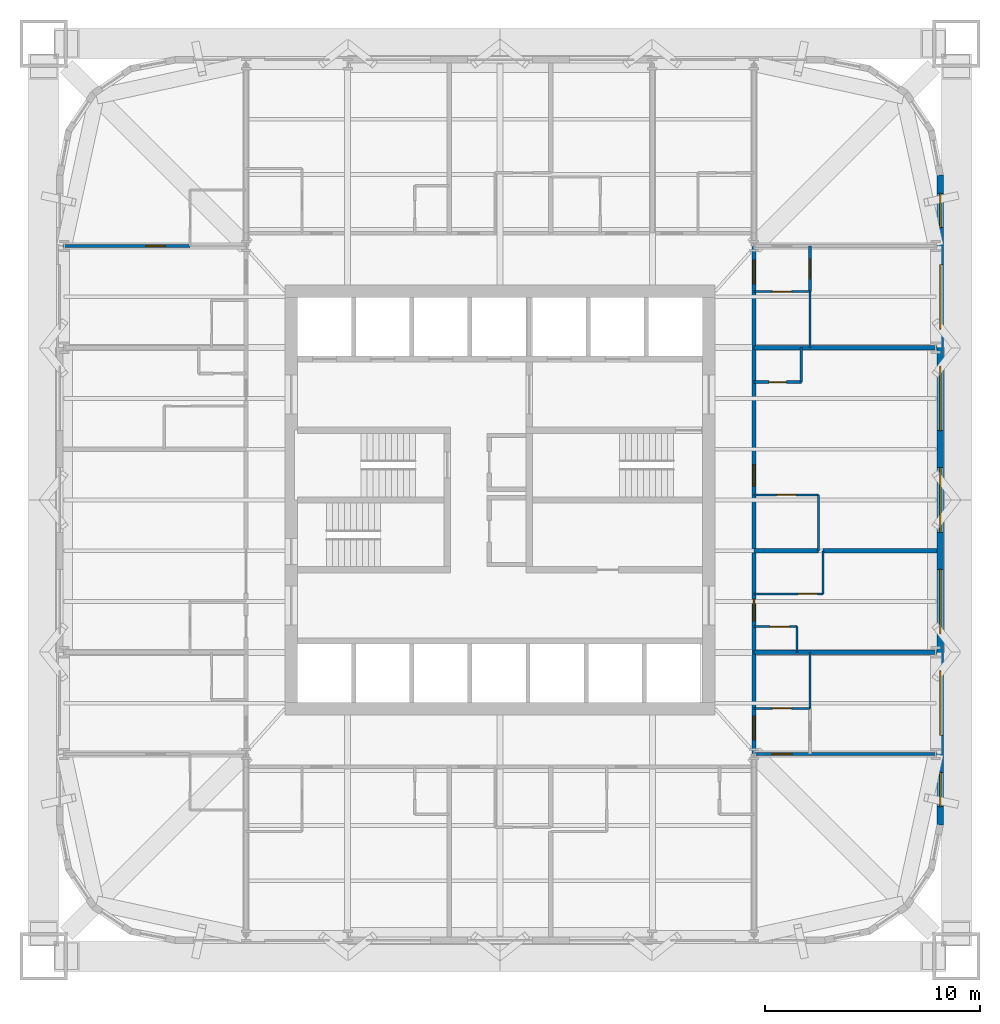
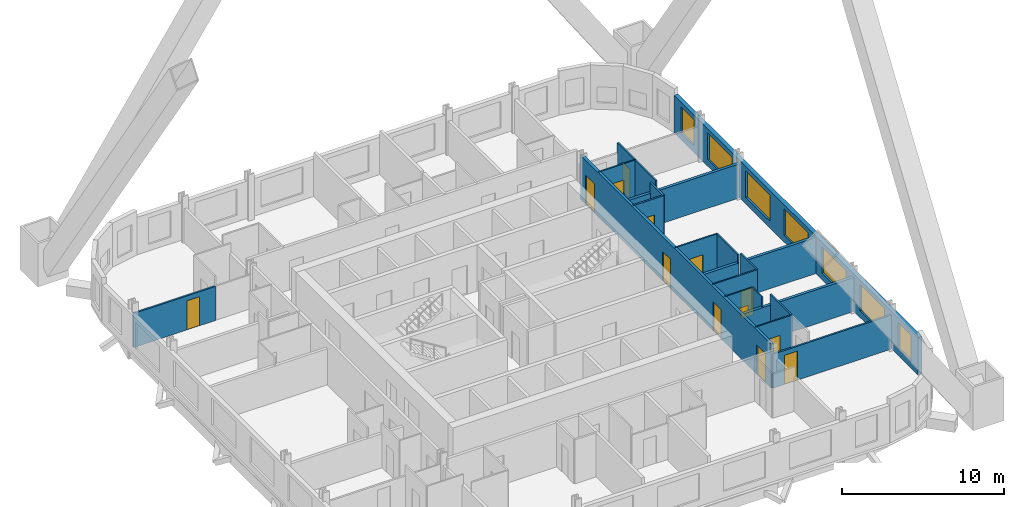
# One storey, part 6 of 9: 21 walls, 13 doors, 7 windows, 20 openings.
"""IFC4 building model written with IfcOpenShell, lengths in metres."""

from ifc_helpers import new_model, si_unit, direction, frame, frame_2d, origin, place, context, subcontext, project, spatial, rectangle, extrude, material, layer, layer_set, type_object, element, fill, save


model = new_model("IFC4")

# Units and contexts
model_context = context("Model", 3, precision=1e-05, world=origin(), true_north=direction((0.0, 1.0)))
body_context = subcontext(model_context, "Body", "Model", "MODEL_VIEW")
ifc_project = project(units=[si_unit("LENGTHUNIT", "METRE"), si_unit("AREAUNIT", "SQUARE_METRE"), si_unit("VOLUMEUNIT", "CUBIC_METRE"), si_unit("PLANEANGLEUNIT", "RADIAN"), si_unit("MASSUNIT", "GRAM", prefix="KILO")], contexts=[model_context])

# Site, building, storey
site_placement = place(None, origin())
site = spatial("IfcSite", under=ifc_project, at=site_placement, CompositionType="ELEMENT")
building_placement = place(site_placement, origin())
building = spatial("IfcBuilding", under=site, at=building_placement, Name="Turquesa Mirador Hotel Tower", CompositionType="ELEMENT")
storey_placement = place(building_placement, frame((0.0, 0.0, 93.39990234375)))
storey = spatial("IfcBuildingStorey", under=building, at=storey_placement, Name="L24", CompositionType="ELEMENT", Elevation=93.39990234375)

# Wall, opening, door
ifc_material_1 = material(Name="Gypsum board on steel studs", Category="steel")
ifc_layer_1 = layer(ifc_material_1, 0.10009765625)
ifc_layer_set_1 = layer_set([ifc_layer_1], Name="BATHROOM WALL 100")
wall_type_1 = type_object("IfcWallType", Name="BATHROOM WALL 100", PredefinedType="PARTITIONING", material=ifc_layer_set_1)
wall_1_placement = place(storey_placement, frame((66.800048828125, 40.639892578125, 0.0), z_axis=(0.0, 0.0, 1.0), x_axis=(1.0, 0.0, 0.0)))
wall_1 = element("IfcWall", 1, at=wall_1_placement, inside=storey, type_object=wall_type_1, Name="Partition L24 013", PredefinedType="PARTITIONING", context=body_context, shape_type="SweptSolid", body=[
    extrude(rectangle(XDim=3.199951171875, YDim=0.10009765625, at=frame_2d((1.60009765625, 0.0))), origin(), (0.0, 0.0, 1.0), 3.330078125),
])
opening_1_placement = place(wall_1_placement, frame((2.050048828125, 0.0, 0.0)))
opening_1 = element("IfcOpeningElement", 2, at=opening_1_placement, cuts=wall_1, Name="Opening D02", PredefinedType="OPENING", context=body_context, shape_type="SweptSolid", body=[
    extrude(rectangle(XDim=0.89990234375, YDim=2.10009765625, at=frame_2d((0.449951171875, 1.050048828125))), frame((0.0, 0.06005859375, 0.0), z_axis=(0.0, -1.0, 0.0), x_axis=(1.0, 0.0, 0.0)), (0.0, 0.0, 1.0), 0.1201171875),
])
ifc_material_2 = material(Name="Timber veneered door", Category="wood")
door_type_1 = type_object("IfcDoorType", Name="DOOR 900X2100 EN-SUITE", OperationType="SINGLE_SWING_RIGHT", PredefinedType="DOOR", material=ifc_material_2)
door_1_placement = place(opening_1_placement, origin())
door_1 = element("IfcDoor", 3, at=door_1_placement, inside=storey, type_object=door_type_1, Name="Door 2408B", OperationType="SINGLE_SWING_RIGHT", OverallHeight=2.10009765625, OverallWidth=0.89990234375, PredefinedType="DOOR", context=body_context, shape_type="SweptSolid", body=[
    extrude(rectangle(XDim=0.89990234375, YDim=2.10009765625, at=frame_2d((0.449951171875, 1.050048828125))), frame((0.0, 0.02490234375, 0.0), z_axis=(0.0, -1.0, 0.0), x_axis=(1.0, 0.0, 0.0)), (0.0, 0.0, 1.0), 0.050048828125),
])
fill(opening_1, door_1)

wall_2_placement = place(storey_placement, frame((66.800048828125, 39.1201171875, 0.0), z_axis=(0.0, 0.0, 1.0), x_axis=(1.0, 0.0, 0.0)))
wall_2 = element("IfcWall", 4, at=wall_2_placement, inside=storey, type_object=wall_type_1, Name="Partition L24 015", PredefinedType="PARTITIONING", context=body_context, shape_type="SweptSolid", body=[
    extrude(rectangle(XDim=2.0, YDim=0.10009765625, at=frame_2d((1.0, 0.0))), origin(), (0.0, 0.0, 1.0), 3.330078125),
])
opening_2_placement = place(wall_2_placement, frame((0.75, 0.0, 0.0)))
opening_2 = element("IfcOpeningElement", 5, at=opening_2_placement, cuts=wall_2, Name="Opening D06", PredefinedType="OPENING", context=body_context, shape_type="SweptSolid", body=[
    extrude(rectangle(XDim=0.89990234375, YDim=2.10009765625, at=frame_2d((0.449951171875, 1.050048828125))), frame((0.0, 0.06005859375, 0.0), z_axis=(0.0, -1.0, 0.0), x_axis=(1.0, 0.0, 0.0)), (0.0, 0.0, 1.0), 0.1201171875),
])
ifc_material_3 = material(Name="Laminate door", Category="wood")
door_type_2 = type_object("IfcDoorType", Name="DOOR 900X2100 WC", OperationType="SINGLE_SWING_LEFT", PredefinedType="DOOR", material=ifc_material_3)
door_2_placement = place(opening_2_placement, origin())
door_2 = element("IfcDoor", 6, at=door_2_placement, inside=storey, type_object=door_type_2, Name="Door 2408W", OperationType="SINGLE_SWING_LEFT", OverallHeight=2.10009765625, OverallWidth=0.89990234375, PredefinedType="DOOR", context=body_context, shape_type="SweptSolid", body=[
    extrude(rectangle(XDim=0.89990234375, YDim=2.10009765625, at=frame_2d((0.449951171875, 1.050048828125))), frame((0.0, 0.02490234375, 0.0), z_axis=(0.0, -1.0, 0.0), x_axis=(1.0, 0.0, 0.0)), (0.0, 0.0, 1.0), 0.050048828125),
])
fill(opening_2, door_2)

wall_3_placement = place(storey_placement, frame((66.800048828125, 35.320068359375, 0.0), z_axis=(0.0, 0.0, 1.0), x_axis=(1.0, 0.0, 0.0)))
wall_3 = element("IfcWall", 7, at=wall_3_placement, inside=storey, type_object=wall_type_1, Name="Partition L24 019", PredefinedType="PARTITIONING", context=body_context, shape_type="SweptSolid", body=[
    extrude(rectangle(XDim=2.599853515625, YDim=0.10009765625, at=frame_2d((1.2998046875, 0.0))), origin(), (0.0, 0.0, 1.0), 3.330078125),
])
opening_3_placement = place(wall_3_placement, frame((0.85009765625, 0.0, 0.0)))
opening_3 = element("IfcOpeningElement", 8, at=opening_3_placement, cuts=wall_3, Name="Opening D02", PredefinedType="OPENING", context=body_context, shape_type="SweptSolid", body=[
    extrude(rectangle(XDim=0.89990234375, YDim=2.10009765625, at=frame_2d((0.449951171875, 1.050048828125))), frame((0.0, 0.06005859375, 0.0), z_axis=(0.0, -1.0, 0.0), x_axis=(1.0, 0.0, 0.0)), (0.0, 0.0, 1.0), 0.1201171875),
])
door_3_placement = place(opening_3_placement, origin())
door_3 = element("IfcDoor", 9, at=door_3_placement, inside=storey, type_object=door_type_1, Name="Door 2414B", OperationType="SINGLE_SWING_RIGHT", OverallHeight=2.10009765625, OverallWidth=0.89990234375, PredefinedType="DOOR", context=body_context, shape_type="SweptSolid", body=[
    extrude(rectangle(XDim=0.89990234375, YDim=2.10009765625, at=frame_2d((0.449951171875, 1.050048828125))), frame((0.0, 0.02490234375, 0.0), z_axis=(0.0, -1.0, 0.0), x_axis=(1.0, 0.0, 0.0)), (0.0, 0.0, 1.0), 0.050048828125),
])
fill(opening_3, door_3)

wall_4_placement = place(storey_placement, frame((66.800048828125, 45.239990234375, 0.0), z_axis=(0.0, 0.0, 1.0), x_axis=(1.0, 0.0, 0.0)))
wall_4 = element("IfcWall", 10, at=wall_4_placement, inside=storey, type_object=wall_type_1, Name="Partition L24 020", PredefinedType="PARTITIONING", context=body_context, shape_type="SweptSolid", body=[
    extrude(rectangle(XDim=3.0, YDim=0.10009765625, at=frame_2d((1.5, 0.0))), origin(), (0.0, 0.0, 1.0), 3.330078125),
])
opening_4_placement = place(wall_4_placement, frame((1.050048828125, 0.0, 0.0)))
opening_4 = element("IfcOpeningElement", 11, at=opening_4_placement, cuts=wall_4, Name="Opening D02", PredefinedType="OPENING", context=body_context, shape_type="SweptSolid", body=[
    extrude(rectangle(XDim=0.89990234375, YDim=2.10009765625, at=frame_2d((0.449951171875, 1.050048828125))), frame((0.0, 0.06005859375, 0.0), z_axis=(0.0, -1.0, 0.0), x_axis=(1.0, 0.0, 0.0)), (0.0, 0.0, 1.0), 0.1201171875),
])
door_4_placement = place(opening_4_placement, origin())
door_4 = element("IfcDoor", 12, at=door_4_placement, inside=storey, type_object=door_type_1, Name="Door 2409B", OperationType="SINGLE_SWING_RIGHT", OverallHeight=2.10009765625, OverallWidth=0.89990234375, PredefinedType="DOOR", context=body_context, shape_type="SweptSolid", body=[
    extrude(rectangle(XDim=0.89990234375, YDim=2.10009765625, at=frame_2d((0.449951171875, 1.050048828125))), frame((0.0, 0.02490234375, 0.0), z_axis=(0.0, -1.0, 0.0), x_axis=(1.0, 0.0, 0.0)), (0.0, 0.0, 1.0), 0.050048828125),
])
fill(opening_4, door_4)

wall_5_placement = place(storey_placement, frame((66.800048828125, 54.679931640625, 0.0), z_axis=(0.0, 0.0, 1.0), x_axis=(1.0, 0.0, 0.0)))
wall_5 = element("IfcWall", 13, at=wall_5_placement, inside=storey, type_object=wall_type_1, Name="Partition L24 038", PredefinedType="PARTITIONING", context=body_context, shape_type="SweptSolid", body=[
    extrude(rectangle(XDim=2.599853515625, YDim=0.10009765625, at=frame_2d((1.2998046875, 0.0))), origin(), (0.0, 0.0, 1.0), 3.330078125),
])
opening_5_placement = place(wall_5_placement, frame((0.85009765625, 0.0, 0.0)))
opening_5 = element("IfcOpeningElement", 14, at=opening_5_placement, cuts=wall_5, Name="Opening D02", PredefinedType="OPENING", context=body_context, shape_type="SweptSolid", body=[
    extrude(rectangle(XDim=0.89990234375, YDim=2.10009765625, at=frame_2d((0.449951171875, 1.050048828125))), frame((0.0, 0.06005859375, 0.0), z_axis=(0.0, -1.0, 0.0), x_axis=(1.0, 0.0, 0.0)), (0.0, 0.0, 1.0), 0.1201171875),
])
door_5_placement = place(opening_5_placement, origin())
door_5 = element("IfcDoor", 15, at=door_5_placement, inside=storey, type_object=door_type_1, Name="Door 2411B", OperationType="SINGLE_SWING_RIGHT", OverallHeight=2.10009765625, OverallWidth=0.89990234375, PredefinedType="DOOR", context=body_context, shape_type="SweptSolid", body=[
    extrude(rectangle(XDim=0.89990234375, YDim=2.10009765625, at=frame_2d((0.449951171875, 1.050048828125))), frame((0.0, 0.02490234375, 0.0), z_axis=(0.0, -1.0, 0.0), x_axis=(1.0, 0.0, 0.0)), (0.0, 0.0, 1.0), 0.050048828125),
])
fill(opening_5, door_5)

# Walls
wall_6_placement = place(storey_placement, frame((68.800048828125, 37.919921875, 0.0), z_axis=(0.0, 0.0, 1.0), x_axis=(0.0, 1.0, 0.0)))
element("IfcWall", 16, at=wall_6_placement, inside=storey, type_object=wall_type_1, Name="Partition L24 061", PredefinedType="PARTITIONING", context=body_context, shape_type="SweptSolid", body=[
    extrude(rectangle(XDim=1.2001953125, YDim=0.10009765625, at=frame_2d((0.60009765625, 0.0))), origin(), (0.0, 0.0, 1.0), 3.330078125),
])
for number, where, z_axis, x_axis, name in (
    (17, (69.39990234375, 35.320068359375, 0.0), (0.0, 0.0, 1.0), (0.0, 1.0, 0.0), "Partition L24 063"),
    (18, (69.39990234375, 52.080078125, 0.0), (0.0, 0.0, 1.0), (0.0, 1.0, 0.0), "Partition L24 064"),
):
    element("IfcWall", number, at=place(storey_placement, frame(where, z_axis=z_axis, x_axis=x_axis)), inside=storey, type_object=wall_type_1, Name=name, PredefinedType="PARTITIONING", context=body_context, shape_type="SweptSolid", body=[
        extrude(rectangle(XDim=2.599853515625, YDim=0.10009765625, at=frame_2d((1.2998046875, 0.0))), origin(), (0.0, 0.0, 1.0), 3.330078125),
    ])
wall_7_placement = place(storey_placement, frame((69.800048828125, 42.639892578125, 0.0), z_axis=(0.0, 0.0, 1.0), x_axis=(0.0, 1.0, 0.0)))
element("IfcWall", 19, at=wall_7_placement, inside=storey, type_object=wall_type_1, Name="Partition L24 067", PredefinedType="PARTITIONING", context=body_context, shape_type="SweptSolid", body=[
    extrude(rectangle(XDim=2.60009765625, YDim=0.10009765625, at=frame_2d((1.300048828125, 0.0))), origin(), (0.0, 0.0, 1.0), 3.330078125),
])
wall_8_placement = place(storey_placement, frame((70.0, 40.639892578125, 0.0), z_axis=(0.0, 0.0, 1.0), x_axis=(0.0, 1.0, 0.0)))
element("IfcWall", 20, at=wall_8_placement, inside=storey, type_object=wall_type_1, Name="Partition L24 068", PredefinedType="PARTITIONING", context=body_context, shape_type="SweptSolid", body=[
    extrude(rectangle(XDim=2.0, YDim=0.10009765625, at=frame_2d((1.0, 0.0))), origin(), (0.0, 0.0, 1.0), 3.330078125),
])

# Wall, openings, doors
ifc_material_4 = material(Name="Fire-rated gypsum board on steel studs", Category="steel")
ifc_layer_2 = layer(ifc_material_4, 0.199951171875)
ifc_layer_set_2 = layer_set([ifc_layer_2], Name="CORRIDOR WALL 200")
wall_type_2 = type_object("IfcWallType", Name="CORRIDOR WALL 200", PredefinedType="PARTITIONING", material=ifc_layer_set_2)
wall_9_placement = place(storey_placement, frame((66.800048828125, 33.219970703125, 0.0), z_axis=(0.0, 0.0, 1.0), x_axis=(0.0, 1.0, 0.0)))
wall_9 = element("IfcWall", 21, at=wall_9_placement, inside=storey, type_object=wall_type_2, Name="Partition L24 058", PredefinedType="PARTITIONING", context=body_context, shape_type="SweptSolid", body=[
    extrude(rectangle(XDim=23.56005859375, YDim=0.199951171875, at=frame_2d((11.780029296875, 0.0))), origin(), (0.0, 0.0, 1.0), 3.330078125),
])
opening_6_placement = place(wall_9_placement, frame((6.159912109375, 0.0, 0.0)))
opening_6 = element("IfcOpeningElement", 22, at=opening_6_placement, cuts=wall_9, Name="Opening D01", PredefinedType="OPENING", context=body_context, shape_type="SweptSolid", body=[
    extrude(rectangle(XDim=1.0, YDim=2.199951171875, at=frame_2d((0.5, 1.10009765625))), frame((0.0, 0.10986328125, 0.0), z_axis=(0.0, -1.0, 0.0), x_axis=(1.0, 0.0, 0.0)), (0.0, 0.0, 1.0), 0.219970703125),
])
opening_7_placement = place(wall_9_placement, frame((12.419921875, 0.0, 0.0)))
opening_7 = element("IfcOpeningElement", 23, at=opening_7_placement, cuts=wall_9, Name="Opening D01", PredefinedType="OPENING", context=body_context, shape_type="SweptSolid", body=[
    extrude(rectangle(XDim=1.0, YDim=2.199951171875, at=frame_2d((0.5, 1.10009765625))), frame((0.0, 0.10986328125, 0.0), z_axis=(0.0, -1.0, 0.0), x_axis=(1.0, 0.0, 0.0)), (0.0, 0.0, 1.0), 0.219970703125),
])
opening_8_placement = place(wall_9_placement, frame((21.820068359375, 0.0, 0.0)))
opening_8 = element("IfcOpeningElement", 24, at=opening_8_placement, cuts=wall_9, Name="Opening D15", PredefinedType="OPENING", context=body_context, shape_type="SweptSolid", body=[
    extrude(rectangle(XDim=1.10009765625, YDim=2.199951171875, at=frame_2d((0.550048828125, 1.10009765625))), frame((0.0, 0.10986328125, 0.0), z_axis=(0.0, -1.0, 0.0), x_axis=(1.0, 0.0, 0.0)), (0.0, 0.0, 1.0), 0.219970703125),
])
opening_9_placement = place(wall_9_placement, frame((0.639892578125, 0.0, 0.0)))
opening_9 = element("IfcOpeningElement", 25, at=opening_9_placement, cuts=wall_9, Name="Opening D15", PredefinedType="OPENING", context=body_context, shape_type="SweptSolid", body=[
    extrude(rectangle(XDim=1.10009765625, YDim=2.199951171875, at=frame_2d((0.550048828125, 1.10009765625))), frame((0.0, 0.10986328125, 0.0), z_axis=(0.0, -1.0, 0.0), x_axis=(1.0, 0.0, 0.0)), (0.0, 0.0, 1.0), 0.219970703125),
])
ifc_material_5 = material(Name="Timber veneered fire door", Category="wood")
door_type_3 = type_object("IfcDoorType", Name="DOOR 1000X2200 GUEST ENTRY", OperationType="SINGLE_SWING_LEFT", PredefinedType="DOOR", material=ifc_material_5)
door_6_placement = place(opening_6_placement, origin())
door_6 = element("IfcDoor", 26, at=door_6_placement, inside=storey, type_object=door_type_3, Name="Door 2408", OperationType="SINGLE_SWING_LEFT", OverallHeight=2.199951171875, OverallWidth=1.0, PredefinedType="DOOR", context=body_context, shape_type="SweptSolid", body=[
    extrude(rectangle(XDim=1.0, YDim=2.199951171875, at=frame_2d((0.5, 1.10009765625))), frame((0.0, 0.02490234375, 0.0), z_axis=(0.0, -1.0, 0.0), x_axis=(1.0, 0.0, 0.0)), (0.0, 0.0, 1.0), 0.050048828125),
])
fill(opening_6, door_6)
door_7_placement = place(opening_7_placement, origin())
door_7 = element("IfcDoor", 27, at=door_7_placement, inside=storey, type_object=door_type_3, Name="Door 2409", OperationType="SINGLE_SWING_LEFT", OverallHeight=2.199951171875, OverallWidth=1.0, PredefinedType="DOOR", context=body_context, shape_type="SweptSolid", body=[
    extrude(rectangle(XDim=1.0, YDim=2.199951171875, at=frame_2d((0.5, 1.10009765625))), frame((0.0, 0.02490234375, 0.0), z_axis=(0.0, -1.0, 0.0), x_axis=(1.0, 0.0, 0.0)), (0.0, 0.0, 1.0), 0.050048828125),
])
fill(opening_7, door_7)
ifc_material_6 = material(Name="Timber veneered fire door", Category="wood")
door_type_4 = type_object("IfcDoorType", Name="DOOR 1100X2200 SUITE ENTRY", OperationType="SINGLE_SWING_LEFT", PredefinedType="DOOR", material=ifc_material_6)
door_8_placement = place(opening_8_placement, origin())
door_8 = element("IfcDoor", 28, at=door_8_placement, inside=storey, type_object=door_type_4, Name="Door 2411H", OperationType="SINGLE_SWING_LEFT", OverallHeight=2.199951171875, OverallWidth=1.10009765625, PredefinedType="DOOR", context=body_context, shape_type="SweptSolid", body=[
    extrude(rectangle(XDim=1.10009765625, YDim=2.199951171875, at=frame_2d((0.550048828125, 1.10009765625))), frame((0.0, 0.02490234375, 0.0), z_axis=(0.0, -1.0, 0.0), x_axis=(1.0, 0.0, 0.0)), (0.0, 0.0, 1.0), 0.050048828125),
])
fill(opening_8, door_8)
door_9_placement = place(opening_9_placement, origin())
door_9 = element("IfcDoor", 29, at=door_9_placement, inside=storey, type_object=door_type_4, Name="Door 2414H", OperationType="SINGLE_SWING_LEFT", OverallHeight=2.199951171875, OverallWidth=1.10009765625, PredefinedType="DOOR", context=body_context, shape_type="SweptSolid", body=[
    extrude(rectangle(XDim=1.10009765625, YDim=2.199951171875, at=frame_2d((0.550048828125, 1.10009765625))), frame((0.0, 0.02490234375, 0.0), z_axis=(0.0, -1.0, 0.0), x_axis=(1.0, 0.0, 0.0)), (0.0, 0.0, 1.0), 0.050048828125),
])
fill(opening_9, door_9)

# Wall, openings, windows
ifc_material_7 = material(Name="Limestone cladding on concrete block", Category="masonry")
ifc_layer_3 = layer(ifc_material_7, 0.300048828125)
ifc_layer_set_3 = layer_set([ifc_layer_3], Name="FACADE WALL 300 STONE SCREEN")
wall_type_3 = type_object("IfcWallType", Name="FACADE WALL 300 STONE SCREEN", PredefinedType="SOLIDWALL", material=ifc_layer_set_3)
wall_10_placement = place(storey_placement, frame((75.449951171875, 29.89990234375, 0.0), z_axis=(0.0, 0.0, 1.0), x_axis=(0.0, 1.0, 0.0)))
wall_10 = element("IfcWall", 30, at=wall_10_placement, inside=storey, type_object=wall_type_3, Name="Facade wall L24 04", PredefinedType="SOLIDWALL", context=body_context, shape_type="SweptSolid", body=[
    extrude(rectangle(XDim=30.2001953125, YDim=0.300048828125, at=frame_2d((15.10009765625, 0.0))), origin(), (0.0, 0.0, 1.0), 2.830078125),
])
opening_10_placement = place(wall_10_placement, frame((0.85009765625, 0.0, 0.5)))
opening_10 = element("IfcOpeningElement", 31, at=opening_10_placement, cuts=wall_10, Name="Opening WN3", PredefinedType="OPENING", context=body_context, shape_type="SweptSolid", body=[
    extrude(rectangle(XDim=1.60009765625, YDim=2.0, at=frame_2d((0.800048828125, 1.0))), frame((0.0, 0.159912109375, 0.0), z_axis=(0.0, -1.0, 0.0), x_axis=(1.0, 0.0, 0.0)), (0.0, 0.0, 1.0), 0.320068359375),
])
opening_11_placement = place(wall_10_placement, frame((4.159912109375, 0.0, 0.5)))
opening_11 = element("IfcOpeningElement", 32, at=opening_11_placement, cuts=wall_10, Name="Opening WN1", PredefinedType="OPENING", context=body_context, shape_type="SweptSolid", body=[
    extrude(rectangle(XDim=3.0, YDim=2.0, at=frame_2d((1.5, 1.0))), frame((0.0, 0.159912109375, 0.0), z_axis=(0.0, -1.0, 0.0), x_axis=(1.0, 0.0, 0.0)), (0.0, 0.0, 1.0), 0.320068359375),
])
opening_12_placement = place(wall_10_placement, frame((8.8798828125, 0.0, 0.5)))
opening_12 = element("IfcOpeningElement", 33, at=opening_12_placement, cuts=wall_10, Name="Opening WN1", PredefinedType="OPENING", context=body_context, shape_type="SweptSolid", body=[
    extrude(rectangle(XDim=3.0, YDim=2.0, at=frame_2d((1.5, 1.0))), frame((0.0, 0.159912109375, 0.0), z_axis=(0.0, -1.0, 0.0), x_axis=(1.0, 0.0, 0.0)), (0.0, 0.0, 1.0), 0.320068359375),
])
opening_13_placement = place(wall_10_placement, frame((13.60009765625, 0.0, 0.5)))
opening_13 = element("IfcOpeningElement", 34, at=opening_13_placement, cuts=wall_10, Name="Opening WN1", PredefinedType="OPENING", context=body_context, shape_type="SweptSolid", body=[
    extrude(rectangle(XDim=3.0, YDim=2.0, at=frame_2d((1.5, 1.0))), frame((0.0, 0.159912109375, 0.0), z_axis=(0.0, -1.0, 0.0), x_axis=(1.0, 0.0, 0.0)), (0.0, 0.0, 1.0), 0.320068359375),
])
opening_14_placement = place(wall_10_placement, frame((18.320068359375, 0.0, 0.5)))
opening_14 = element("IfcOpeningElement", 35, at=opening_14_placement, cuts=wall_10, Name="Opening WN1", PredefinedType="OPENING", context=body_context, shape_type="SweptSolid", body=[
    extrude(rectangle(XDim=3.0, YDim=2.0, at=frame_2d((1.5, 1.0))), frame((0.0, 0.159912109375, 0.0), z_axis=(0.0, -1.0, 0.0), x_axis=(1.0, 0.0, 0.0)), (0.0, 0.0, 1.0), 0.320068359375),
])
opening_15_placement = place(wall_10_placement, frame((23.0400390625, 0.0, 0.5)))
opening_15 = element("IfcOpeningElement", 36, at=opening_15_placement, cuts=wall_10, Name="Opening WN1", PredefinedType="OPENING", context=body_context, shape_type="SweptSolid", body=[
    extrude(rectangle(XDim=3.0, YDim=2.0, at=frame_2d((1.5, 1.0))), frame((0.0, 0.159912109375, 0.0), z_axis=(0.0, -1.0, 0.0), x_axis=(1.0, 0.0, 0.0)), (0.0, 0.0, 1.0), 0.320068359375),
])
opening_16_placement = place(wall_10_placement, frame((27.75, 0.0, 0.5)))
opening_16 = element("IfcOpeningElement", 37, at=opening_16_placement, cuts=wall_10, Name="Opening WN3", PredefinedType="OPENING", context=body_context, shape_type="SweptSolid", body=[
    extrude(rectangle(XDim=1.60009765625, YDim=2.0, at=frame_2d((0.800048828125, 1.0))), frame((0.0, 0.159912109375, 0.0), z_axis=(0.0, -1.0, 0.0), x_axis=(1.0, 0.0, 0.0)), (0.0, 0.0, 1.0), 0.320068359375),
])
ifc_material_8 = material(Name="Ceramic-fritted laminated glass", Category="glass")
window_type_1 = type_object("IfcWindowType", Name="FRITTED WINDOW 1600X2000", PartitioningType="DOUBLE_PANEL_HORIZONTAL", PredefinedType="WINDOW", material=ifc_material_8)
window_1_placement = place(opening_10_placement, origin())
window_1 = element("IfcWindow", 38, at=window_1_placement, inside=storey, type_object=window_type_1, Name="Window L24", OverallHeight=2.0, OverallWidth=1.60009765625, PartitioningType="SINGLE_PANEL", PredefinedType="WINDOW", context=body_context, shape_type="SweptSolid", body=[
    extrude(rectangle(XDim=1.60009765625, YDim=2.0, at=frame_2d((0.800048828125, 1.0))), frame((0.0, 0.030029296875, 0.0), z_axis=(0.0, -1.0, 0.0), x_axis=(1.0, 0.0, 0.0)), (0.0, 0.0, 1.0), 0.06005859375),
])
fill(opening_10, window_1)
window_2_placement = place(opening_16_placement, origin())
window_2 = element("IfcWindow", 39, at=window_2_placement, inside=storey, type_object=window_type_1, Name="Window L24", OverallHeight=2.0, OverallWidth=1.60009765625, PartitioningType="SINGLE_PANEL", PredefinedType="WINDOW", context=body_context, shape_type="SweptSolid", body=[
    extrude(rectangle(XDim=1.60009765625, YDim=2.0, at=frame_2d((0.800048828125, 1.0))), frame((0.0, 0.030029296875, 0.0), z_axis=(0.0, -1.0, 0.0), x_axis=(1.0, 0.0, 0.0)), (0.0, 0.0, 1.0), 0.06005859375),
])
fill(opening_16, window_2)
ifc_material_9 = material(Name="Ceramic-fritted laminated glass", Category="glass")
window_type_2 = type_object("IfcWindowType", Name="FRITTED WINDOW 3000X2000", PartitioningType="DOUBLE_PANEL_HORIZONTAL", PredefinedType="WINDOW", material=ifc_material_9)
window_3_placement = place(opening_11_placement, origin())
window_3 = element("IfcWindow", 40, at=window_3_placement, inside=storey, type_object=window_type_2, Name="Window L24", OverallHeight=2.0, OverallWidth=3.0, PartitioningType="SINGLE_PANEL", PredefinedType="WINDOW", context=body_context, shape_type="SweptSolid", body=[
    extrude(rectangle(XDim=3.0, YDim=2.0, at=frame_2d((1.5, 1.0))), frame((0.0, 0.030029296875, 0.0), z_axis=(0.0, -1.0, 0.0), x_axis=(1.0, 0.0, 0.0)), (0.0, 0.0, 1.0), 0.06005859375),
])
fill(opening_11, window_3)
window_4_placement = place(opening_12_placement, origin())
window_4 = element("IfcWindow", 41, at=window_4_placement, inside=storey, type_object=window_type_2, Name="Window L24", OverallHeight=2.0, OverallWidth=3.0, PartitioningType="SINGLE_PANEL", PredefinedType="WINDOW", context=body_context, shape_type="SweptSolid", body=[
    extrude(rectangle(XDim=3.0, YDim=2.0, at=frame_2d((1.5, 1.0))), frame((0.0, 0.030029296875, 0.0), z_axis=(0.0, -1.0, 0.0), x_axis=(1.0, 0.0, 0.0)), (0.0, 0.0, 1.0), 0.06005859375),
])
fill(opening_12, window_4)
window_5_placement = place(opening_13_placement, origin())
window_5 = element("IfcWindow", 42, at=window_5_placement, inside=storey, type_object=window_type_2, Name="Window L24", OverallHeight=2.0, OverallWidth=3.0, PartitioningType="SINGLE_PANEL", PredefinedType="WINDOW", context=body_context, shape_type="SweptSolid", body=[
    extrude(rectangle(XDim=3.0, YDim=2.0, at=frame_2d((1.5, 1.0))), frame((0.0, 0.030029296875, 0.0), z_axis=(0.0, -1.0, 0.0), x_axis=(1.0, 0.0, 0.0)), (0.0, 0.0, 1.0), 0.06005859375),
])
fill(opening_13, window_5)
window_6_placement = place(opening_14_placement, origin())
window_6 = element("IfcWindow", 43, at=window_6_placement, inside=storey, type_object=window_type_2, Name="Window L24", OverallHeight=2.0, OverallWidth=3.0, PartitioningType="SINGLE_PANEL", PredefinedType="WINDOW", context=body_context, shape_type="SweptSolid", body=[
    extrude(rectangle(XDim=3.0, YDim=2.0, at=frame_2d((1.5, 1.0))), frame((0.0, 0.030029296875, 0.0), z_axis=(0.0, -1.0, 0.0), x_axis=(1.0, 0.0, 0.0)), (0.0, 0.0, 1.0), 0.06005859375),
])
fill(opening_14, window_6)
window_7_placement = place(opening_15_placement, origin())
window_7 = element("IfcWindow", 44, at=window_7_placement, inside=storey, type_object=window_type_2, Name="Window L24", OverallHeight=2.0, OverallWidth=3.0, PartitioningType="SINGLE_PANEL", PredefinedType="WINDOW", context=body_context, shape_type="SweptSolid", body=[
    extrude(rectangle(XDim=3.0, YDim=2.0, at=frame_2d((1.5, 1.0))), frame((0.0, 0.030029296875, 0.0), z_axis=(0.0, -1.0, 0.0), x_axis=(1.0, 0.0, 0.0)), (0.0, 0.0, 1.0), 0.06005859375),
])
fill(opening_15, window_7)

# Walls
ifc_material_10 = material(Name="Fire-rated gypsum board on steel studs", Category="steel")
ifc_layer_4 = layer(ifc_material_10, 0.199951171875)
ifc_layer_set_4 = layer_set([ifc_layer_4], Name="PARTY WALL 200")
wall_type_4 = type_object("IfcWallType", Name="PARTY WALL 200", PredefinedType="PARTITIONING", material=ifc_layer_set_4)
wall_11_placement = place(storey_placement, frame((66.800048828125, 42.639892578125, 0.0), z_axis=(0.0, 0.0, 1.0), x_axis=(1.0, 0.0, 0.0)))
element("IfcWall", 45, at=wall_11_placement, inside=storey, type_object=wall_type_4, Name="Partition L24 011", PredefinedType="PARTITIONING", context=body_context, shape_type="SweptSolid", body=[
    extrude(rectangle(XDim=3.0, YDim=0.199951171875, at=frame_2d((1.5, 0.0))), origin(), (0.0, 0.0, 1.0), 2.730712890625),
])
wall_12_placement = place(storey_placement, frame((70.0, 42.639892578125, 0.0), z_axis=(0.0, 0.0, 1.0), x_axis=(1.0, 0.0, 0.0)))
element("IfcWall", 46, at=wall_12_placement, inside=storey, type_object=wall_type_4, Name="Partition L24 012", PredefinedType="PARTITIONING", context=body_context, shape_type="SweptSolid", body=[
    extrude(rectangle(XDim=5.300048828125, YDim=0.199951171875, at=frame_2d((2.64990234375, 0.0))), origin(), (0.0, 0.0, 1.0), 2.730712890625),
])
for number, where, z_axis, x_axis, name in (
    (47, (66.800048828125, 37.919921875, 0.0), (0.0, 0.0, 1.0), (1.0, 0.0, 0.0), "Partition L24 017"),
    (48, (66.800048828125, 52.080078125, 0.0), (0.0, 0.0, 1.0), (1.0, 0.0, 0.0), "Partition L24 036"),
):
    element("IfcWall", number, at=place(storey_placement, frame(where, z_axis=z_axis, x_axis=x_axis)), inside=storey, type_object=wall_type_4, Name=name, PredefinedType="PARTITIONING", context=body_context, shape_type="SweptSolid", body=[
        extrude(rectangle(XDim=8.5, YDim=0.199951171875, at=frame_2d((4.25, 0.0))), origin(), (0.0, 0.0, 1.0), 2.5732421875),
    ])

# Wall, opening, door
ifc_material_11 = material(Name="Acoustic gypsum board on steel studs", Category="steel")
ifc_layer_5 = layer(ifc_material_11, 0.125)
ifc_layer_set_5 = layer_set([ifc_layer_5], Name="SUITE PARTITION 125")
wall_type_5 = type_object("IfcWallType", Name="SUITE PARTITION 125", PredefinedType="PARTITIONING", material=ifc_layer_set_5)
wall_13_placement = place(storey_placement, frame((66.800048828125, 33.199951171875, 0.0), z_axis=(0.0, 0.0, 1.0), x_axis=(1.0, 0.0, 0.0)))
wall_13 = element("IfcWall", 49, at=wall_13_placement, inside=storey, type_object=wall_type_5, Name="Partition L24 003", PredefinedType="PARTITIONING", context=body_context, shape_type="SweptSolid", body=[
    extrude(rectangle(XDim=8.5, YDim=0.125, at=frame_2d((4.25, 0.0))), origin(), (0.0, 0.0, 1.0), 2.5732421875),
])
opening_17_placement = place(wall_13_placement, frame((0.85009765625, 0.0, 0.0)))
opening_17 = element("IfcOpeningElement", 50, at=opening_17_placement, cuts=wall_13, Name="Opening D17", PredefinedType="OPENING", context=body_context, shape_type="SweptSolid", body=[
    extrude(rectangle(XDim=0.89990234375, YDim=2.199951171875, at=frame_2d((0.449951171875, 1.10009765625))), frame((0.0, 0.072509765625, 0.0), z_axis=(0.0, -1.0, 0.0), x_axis=(1.0, 0.0, 0.0)), (0.0, 0.0, 1.0), 0.14501953125),
])
ifc_material_12 = material(Name="Timber veneered door", Category="wood")
door_type_5 = type_object("IfcDoorType", Name="DOOR 900X2200 SUITE INTERNAL", OperationType="SINGLE_SWING_LEFT", PredefinedType="DOOR", material=ifc_material_12)
door_10_placement = place(opening_17_placement, origin())
door_10 = element("IfcDoor", 51, at=door_10_placement, inside=storey, type_object=door_type_5, Name="Door 2414", OperationType="SINGLE_SWING_LEFT", OverallHeight=2.199951171875, OverallWidth=0.89990234375, PredefinedType="DOOR", context=body_context, shape_type="SweptSolid", body=[
    extrude(rectangle(XDim=0.89990234375, YDim=2.199951171875, at=frame_2d((0.449951171875, 1.10009765625))), frame((0.0, 0.02490234375, 0.0), z_axis=(0.0, -1.0, 0.0), x_axis=(1.0, 0.0, 0.0)), (0.0, 0.0, 1.0), 0.050048828125),
])
fill(opening_17, door_10)

wall_14_placement = place(storey_placement, frame((34.699951171875, 56.800048828125, 0.0), z_axis=(0.0, 0.0, 1.0), x_axis=(1.0, 0.0, 0.0)))
wall_14 = element("IfcWall", 52, at=wall_14_placement, inside=storey, type_object=wall_type_5, Name="Partition L24 022", PredefinedType="PARTITIONING", context=body_context, shape_type="SweptSolid", body=[
    extrude(rectangle(XDim=5.900146484375, YDim=0.125, at=frame_2d((2.9501953125, 0.0))), origin(), (0.0, 0.0, 1.0), 2.5732421875),
])
opening_18_placement = place(wall_14_placement, frame((3.85009765625, 0.0, 0.0)))
opening_18 = element("IfcOpeningElement", 53, at=opening_18_placement, cuts=wall_14, Name="Opening D17", PredefinedType="OPENING", context=body_context, shape_type="SweptSolid", body=[
    extrude(rectangle(XDim=0.89990234375, YDim=2.199951171875, at=frame_2d((0.449951171875, 1.10009765625))), frame((0.0, 0.072509765625, 0.0), z_axis=(0.0, -1.0, 0.0), x_axis=(1.0, 0.0, 0.0)), (0.0, 0.0, 1.0), 0.14501953125),
])
door_11_placement = place(opening_18_placement, origin())
door_11 = element("IfcDoor", 54, at=door_11_placement, inside=storey, type_object=door_type_5, Name="Door 2412R", OperationType="SINGLE_SWING_LEFT", OverallHeight=2.199951171875, OverallWidth=0.89990234375, PredefinedType="DOOR", context=body_context, shape_type="SweptSolid", body=[
    extrude(rectangle(XDim=0.89990234375, YDim=2.199951171875, at=frame_2d((0.449951171875, 1.10009765625))), frame((0.0, 0.02490234375, 0.0), z_axis=(0.0, -1.0, 0.0), x_axis=(1.0, 0.0, 0.0)), (0.0, 0.0, 1.0), 0.050048828125),
])
fill(opening_18, door_11)

wall_15_placement = place(storey_placement, frame((66.800048828125, 50.47998046875, 0.0), z_axis=(0.0, 0.0, 1.0), x_axis=(1.0, 0.0, 0.0)))
wall_15 = element("IfcWall", 55, at=wall_15_placement, inside=storey, type_object=wall_type_5, Name="Partition L24 033", PredefinedType="PARTITIONING", context=body_context, shape_type="SweptSolid", body=[
    extrude(rectangle(XDim=2.199951171875, YDim=0.125, at=frame_2d((1.10009765625, 0.0))), origin(), (0.0, 0.0, 1.0), 3.330078125),
])
opening_19_placement = place(wall_15_placement, frame((0.699951171875, 0.0, 0.0)))
opening_19 = element("IfcOpeningElement", 56, at=opening_19_placement, cuts=wall_15, Name="Opening D20", PredefinedType="OPENING", context=body_context, shape_type="SweptSolid", body=[
    extrude(rectangle(XDim=0.800048828125, YDim=2.10009765625, at=frame_2d((0.39990234375, 1.050048828125))), frame((0.0, 0.072509765625, 0.0), z_axis=(0.0, -1.0, 0.0), x_axis=(1.0, 0.0, 0.0)), (0.0, 0.0, 1.0), 0.14501953125),
])
ifc_material_13 = material(Name="Timber veneered sliding door", Category="wood")
door_type_6 = type_object("IfcDoorType", Name="DOOR 800X2100 WARDROBE", OperationType="SLIDING_TO_LEFT", PredefinedType="DOOR", material=ifc_material_13)
door_12_placement = place(opening_19_placement, origin())
door_12 = element("IfcDoor", 57, at=door_12_placement, inside=storey, type_object=door_type_6, Name="Door 2409W", OperationType="SLIDING_TO_LEFT", OverallHeight=2.10009765625, OverallWidth=0.800048828125, PredefinedType="DOOR", context=body_context, shape_type="SweptSolid", body=[
    extrude(rectangle(XDim=0.800048828125, YDim=2.10009765625, at=frame_2d((0.39990234375, 1.050048828125))), frame((0.0, 0.02490234375, 0.0), z_axis=(0.0, -1.0, 0.0), x_axis=(1.0, 0.0, 0.0)), (0.0, 0.0, 1.0), 0.050048828125),
])
fill(opening_19, door_12)

# Wall
wall_16_placement = place(storey_placement, frame((69.0, 50.47998046875, 0.0), z_axis=(0.0, 0.0, 1.0), x_axis=(0.0, 1.0, 0.0)))
element("IfcWall", 58, at=wall_16_placement, inside=storey, type_object=wall_type_5, Name="Partition L24 062", PredefinedType="PARTITIONING", context=body_context, shape_type="SweptSolid", body=[
    extrude(rectangle(XDim=1.60009765625, YDim=0.125, at=frame_2d((0.800048828125, 0.0))), origin(), (0.0, 0.0, 1.0), 3.330078125),
])

# Wall, opening, door
wall_17_placement = place(storey_placement, frame((69.39990234375, 54.679931640625, 0.0), z_axis=(0.0, 0.0, 1.0), x_axis=(0.0, 1.0, 0.0)))
wall_17 = element("IfcWall", 59, at=wall_17_placement, inside=storey, type_object=wall_type_5, Name="Partition L24 066", PredefinedType="PARTITIONING", context=body_context, shape_type="SweptSolid", body=[
    extrude(rectangle(XDim=2.1201171875, YDim=0.125, at=frame_2d((1.06005859375, 0.0))), origin(), (0.0, 0.0, 1.0), 3.330078125),
])
opening_20_placement = place(wall_17_placement, frame((0.610107421875, 0.0, 0.0)))
opening_20 = element("IfcOpeningElement", 60, at=opening_20_placement, cuts=wall_17, Name="Opening D17", PredefinedType="OPENING", context=body_context, shape_type="SweptSolid", body=[
    extrude(rectangle(XDim=0.89990234375, YDim=2.199951171875, at=frame_2d((0.449951171875, 1.10009765625))), frame((0.0, 0.072509765625, 0.0), z_axis=(0.0, -1.0, 0.0), x_axis=(1.0, 0.0, 0.0)), (0.0, 0.0, 1.0), 0.14501953125),
])
door_13_placement = place(opening_20_placement, origin())
door_13 = element("IfcDoor", 61, at=door_13_placement, inside=storey, type_object=door_type_5, Name="Door 2411R", OperationType="SINGLE_SWING_LEFT", OverallHeight=2.199951171875, OverallWidth=0.89990234375, PredefinedType="DOOR", context=body_context, shape_type="SweptSolid", body=[
    extrude(rectangle(XDim=0.89990234375, YDim=2.199951171875, at=frame_2d((0.449951171875, 1.10009765625))), frame((0.0, 0.02490234375, 0.0), z_axis=(0.0, -1.0, 0.0), x_axis=(1.0, 0.0, 0.0)), (0.0, 0.0, 1.0), 0.050048828125),
])
fill(opening_20, door_13)

save(model, "model.ifc")
